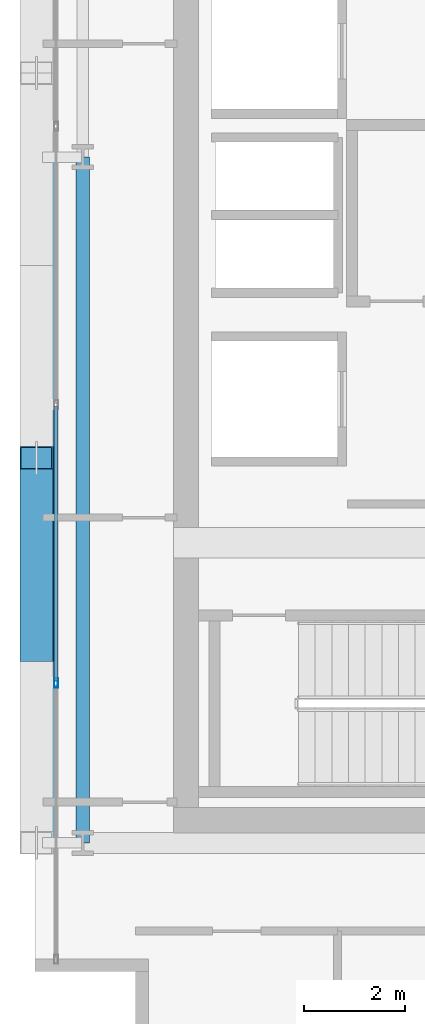
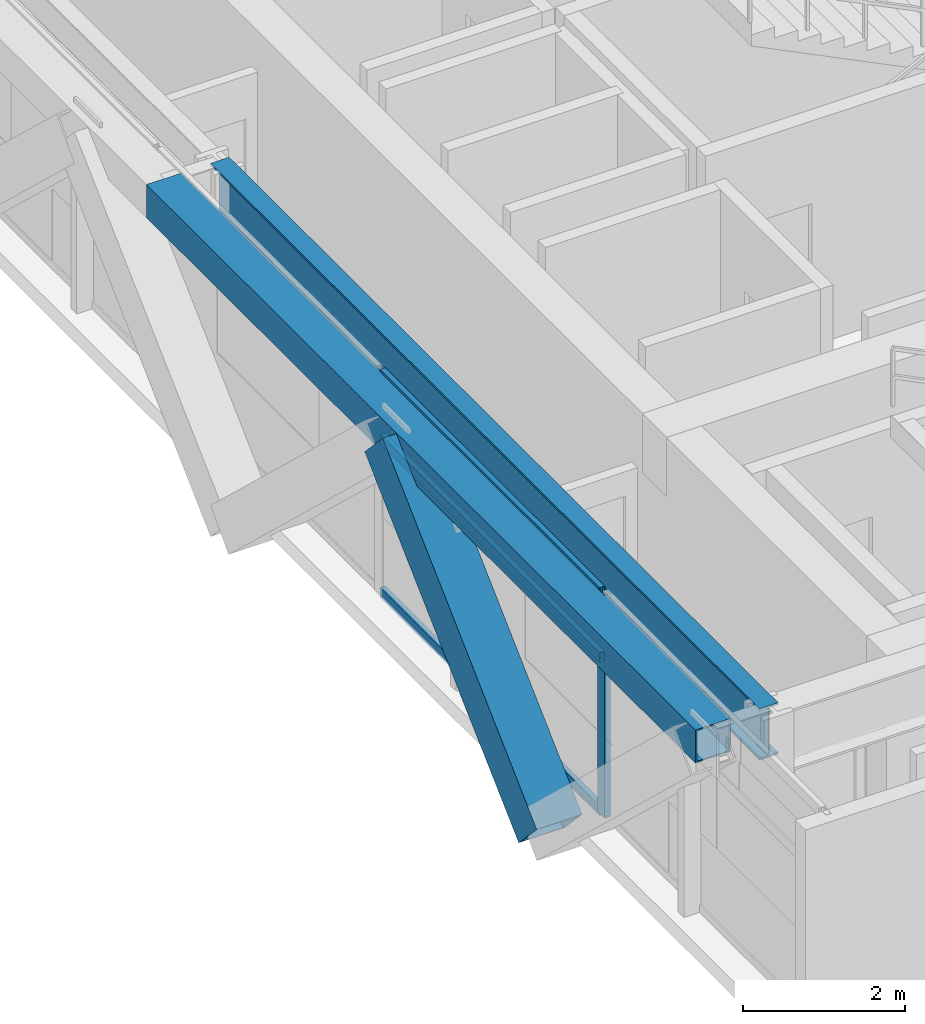
# One storey, part 4 of 31: 5 members, 2 beams, 1 element without a shape of its own.
"""IFC4 building model written with IfcOpenShell, lengths in metres."""

from ifc_helpers import new_model, si_unit, direction, frame, origin, origin_2d, place, context, subcontext, project, spatial, hollow_rectangle, i_section, extrude, source, transform, mapped, material, layer, layer_set, material_profile, profile_set, type_object, element, aggregate, save


model = new_model("IFC4")

# Units and contexts
model_context = context("Model", 3, precision=1e-05, world=origin(), true_north=direction((0.0, 1.0)))
body_context = subcontext(model_context, "Body", "Model", "MODEL_VIEW")
ifc_project = project(units=[si_unit("LENGTHUNIT", "METRE"), si_unit("AREAUNIT", "SQUARE_METRE"), si_unit("VOLUMEUNIT", "CUBIC_METRE"), si_unit("PLANEANGLEUNIT", "RADIAN"), si_unit("MASSUNIT", "GRAM", prefix="KILO")], contexts=[model_context])

# Site, building, storey
site_placement = place(None, origin())
site = spatial("IfcSite", under=ifc_project, at=site_placement, CompositionType="ELEMENT")
building_placement = place(site_placement, origin())
building = spatial("IfcBuilding", under=site, at=building_placement, Name="Ocotamira Hotel", CompositionType="ELEMENT")
storey_placement = place(building_placement, frame((0.0, 0.0, 199.199951171875)))
storey = spatial("IfcBuildingStorey", under=building, at=storey_placement, Name="L50", CompositionType="ELEMENT", Elevation=199.199951171875)

# Beams
ifc_material_1 = material(Name="Steel ASTM A992 Grade 50", Category="steel")
ifc_material_profile_1 = material_profile(ifc_material_1, i_section(OverallWidth=0.26611328125, OverallDepth=0.779052734375, WebThickness=0.0166015625, FlangeThickness=0.030029296875, FilletRadius=0.01806640625, at=origin_2d()), Name="W30X148")
ifc_profile_set_1 = profile_set([ifc_material_profile_1], Name="Steel ASTM A992 Grade 50")
beam_type_1 = type_object("IfcBeamType", Name="BM-GIRD-W30X148", PredefinedType="BEAM", material=ifc_profile_set_1)
shared_shape_1 = source(origin(), body_context, "Body", "SweptSolid", [
    extrude(i_section(OverallWidth=0.26611328125, OverallDepth=0.779052734375, WebThickness=0.0166015625, FlangeThickness=0.030029296875, FilletRadius=0.01806640625, at=origin_2d()), origin(), (0.0, 0.0, 1.0), 13.599853515625),
])
beam_1_placement = place(storey_placement, frame((8.949951171875, 14.550048828125, 2.98046875), z_axis=(0.0, 1.0, 0.0), x_axis=(-1.0, 0.0, 0.0)))
element("IfcBeam", 1, at=beam_1_placement, inside=storey, type_object=beam_type_1, Name="L50 Beam X8.95 Y14.55-28.15", PredefinedType="BEAM", context=body_context, shape_type="MappedRepresentation", body=[
    mapped(shared_shape_1, transform((0.0, 0.0, 0.0), scale=1.0)),
])
ifc_material_2 = material(Name="Steel ASTM A500 Grade C", Category="steel")
ifc_material_profile_2 = material_profile(ifc_material_2, hollow_rectangle(XDim=0.5, YDim=0.5, WallThickness=0.02001953125, at=origin_2d()), Name="HSS500X500X20")
ifc_profile_set_2 = profile_set([ifc_material_profile_2], Name="Steel ASTM A500 Grade C")
beam_type_2 = type_object("IfcBeamType", Name="BM-SPAN-HSS500", PredefinedType="USERDEFINED", material=ifc_profile_set_2)
shared_shape_2 = source(origin(), body_context, "Body", "SweptSolid", [
    extrude(hollow_rectangle(XDim=0.5, YDim=0.5, WallThickness=0.02001953125, at=origin_2d()), origin(), (0.0, 0.0, 1.0), 13.599853515625),
])
beam_2_placement = place(storey_placement, frame((8.14990234375, 14.550048828125, 3.1201171875), z_axis=(0.0, 1.0, 0.0), x_axis=(-1.0, 0.0, 0.0)))
element("IfcBeam", 2, at=beam_2_placement, inside=storey, type_object=beam_type_2, Name="L50 Edge Spandrel W Y14.55-28.15", ObjectType="SPANDREL", PredefinedType="USERDEFINED", context=body_context, shape_type="MappedRepresentation", body=[
    mapped(shared_shape_2, transform((0.0, 0.0, 0.0), scale=1.0)),
])

# Member
ifc_material_3 = material(Name="Pale-metal coated steel ASTM A913 Grade 65", Category="steel")
ifc_material_profile_3 = material_profile(ifc_material_3, hollow_rectangle(XDim=0.64990234375, YDim=0.64990234375, WallThickness=0.02197265625, at=origin_2d()), Name="BOX650X650X22")
ifc_profile_set_3 = profile_set([ifc_material_profile_3], Name="Pale-metal coated steel ASTM A913 Grade 65")
member_type_1 = type_object("IfcMemberType", Name="MEM-EXO-BOX650", PredefinedType="BRACE", material=ifc_profile_set_3)
shared_shape_3 = source(origin(), body_context, "Body", "SweptSolid", [
    extrude(hollow_rectangle(XDim=0.64990234375, YDim=0.64990234375, WallThickness=0.02197265625, at=origin_2d()), origin(), (0.0, 0.0, 1.0), 5.24658203125),
])
member_1_placement = place(storey_placement, frame((8.030029296875, 18.36669921875, -0.47998046875), z_axis=(0.0, 0.727442733726, 0.686168397078), x_axis=(-1.0, 0.0, 0.0)))
element("IfcMember", 3, at=member_1_placement, inside=storey, type_object=member_type_1, Name="L50 Exoskeleton Diagrid W0.2", PredefinedType="BRACE", context=body_context, shape_type="MappedRepresentation", body=[
    mapped(shared_shape_3, transform((0.0, 0.0, 0.0), scale=1.0)),
])

# Curtain wall, members
ifc_material_4 = material(Name="Anodised pale-metal aluminium and solar glass", Category="aluminium")
ifc_layer = layer(ifc_material_4, 0.199951171875)
ifc_layer_set = layer_set([ifc_layer], Name="Anodised pale-metal aluminium and solar glass")
curtain_wall_type = type_object("IfcCurtainWallType", Name="CW-SYS4-Z3", PredefinedType="NOTDEFINED", material=ifc_layer_set)
curtain_wall_placement = place(storey_placement, origin())
curtain_wall = element("IfcCurtainWall", 4, at=curtain_wall_placement, inside=storey, type_object=curtain_wall_type, Name="L50 Curtain Wall CW-4 CW-L50-W", PredefinedType="NOTDEFINED")
ifc_material_5 = material(Name="Anodised pale-metal aluminium 6063-T6", Category="aluminium")
ifc_material_profile_4 = material_profile(ifc_material_5, hollow_rectangle(XDim=0.080078125, YDim=0.179931640625, WallThickness=0.006103515625, at=origin_2d()), Name="HSS180X80X6")
ifc_profile_set_4 = profile_set([ifc_material_profile_4], Name="Anodised pale-metal aluminium 6063-T6")
member_type_2 = type_object("IfcMemberType", Name="CWM-180X75", PredefinedType="MULLION", material=ifc_profile_set_4)
shared_shape_4 = source(origin(), body_context, "Body", "SweptSolid", [
    extrude(hollow_rectangle(XDim=0.080078125, YDim=0.179931640625, WallThickness=0.006103515625, at=origin_2d()), origin(), (0.0, 0.0, 1.0), 3.3701171875),
])
member_2_placement = place(storey_placement, frame((8.419921875, 17.719970703125, 0.0), z_axis=(0.0, 0.0, 1.0), x_axis=(-1.0, 0.0, 0.0)))
member_2 = element("IfcMember", 5, at=member_2_placement, type_object=member_type_2, Name="CW-4 mullion 2", PredefinedType="MULLION", context=body_context, shape_type="MappedRepresentation", body=[
    mapped(shared_shape_4, transform((0.0, 0.0, 0.0), scale=1.0)),
])
ifc_material_profile_5 = material_profile(ifc_material_5, hollow_rectangle(XDim=0.074951171875, YDim=0.14990234375, WallThickness=0.006103515625, at=origin_2d()), Name="HSS150X75X6")
ifc_profile_set_5 = profile_set([ifc_material_profile_5], Name="Anodised pale-metal aluminium 6063-T6")
member_type_3 = type_object("IfcMemberType", Name="CWT-150X75", PredefinedType="USERDEFINED", material=ifc_profile_set_5)
shared_shape_5 = source(origin(), body_context, "Body", "SweptSolid", [
    extrude(hollow_rectangle(XDim=0.074951171875, YDim=0.14990234375, WallThickness=0.006103515625, at=origin_2d()), origin(), (0.0, 0.0, 1.0), 5.43994140625),
])
member_3_placement = place(storey_placement, frame((8.419921875, 17.760009765625, 0.03759765625), z_axis=(0.0, 1.0, 0.0), x_axis=(-1.0, 0.0, 0.0)))
member_3 = element("IfcMember", 6, at=member_3_placement, type_object=member_type_3, Name="CW-4 transom 2.1", ObjectType="TRANSOM", PredefinedType="USERDEFINED", context=body_context, shape_type="MappedRepresentation", body=[
    mapped(shared_shape_5, transform((0.0, 0.0, 0.0), scale=1.0)),
])
member_4_placement = place(storey_placement, frame((8.419921875, 17.760009765625, 2.35009765625), z_axis=(0.0, 1.0, 0.0), x_axis=(-1.0, 0.0, 0.0)))
member_4 = element("IfcMember", 7, at=member_4_placement, type_object=member_type_3, Name="CW-4 transom 2.2", ObjectType="TRANSOM", PredefinedType="USERDEFINED", context=body_context, shape_type="MappedRepresentation", body=[
    mapped(shared_shape_5, transform((0.0, 0.0, 0.0), scale=1.0)),
])
member_5_placement = place(storey_placement, frame((8.419921875, 17.760009765625, 3.33251953125), z_axis=(0.0, 1.0, 0.0), x_axis=(-1.0, 0.0, 0.0)))
member_5 = element("IfcMember", 8, at=member_5_placement, type_object=member_type_3, Name="CW-4 transom 2.3", ObjectType="TRANSOM", PredefinedType="USERDEFINED", context=body_context, shape_type="MappedRepresentation", body=[
    mapped(shared_shape_5, transform((0.0, 0.0, 0.0), scale=1.0)),
])
aggregate(curtain_wall, [member_2, member_3, member_4, member_5])

save(model, "model.ifc")
